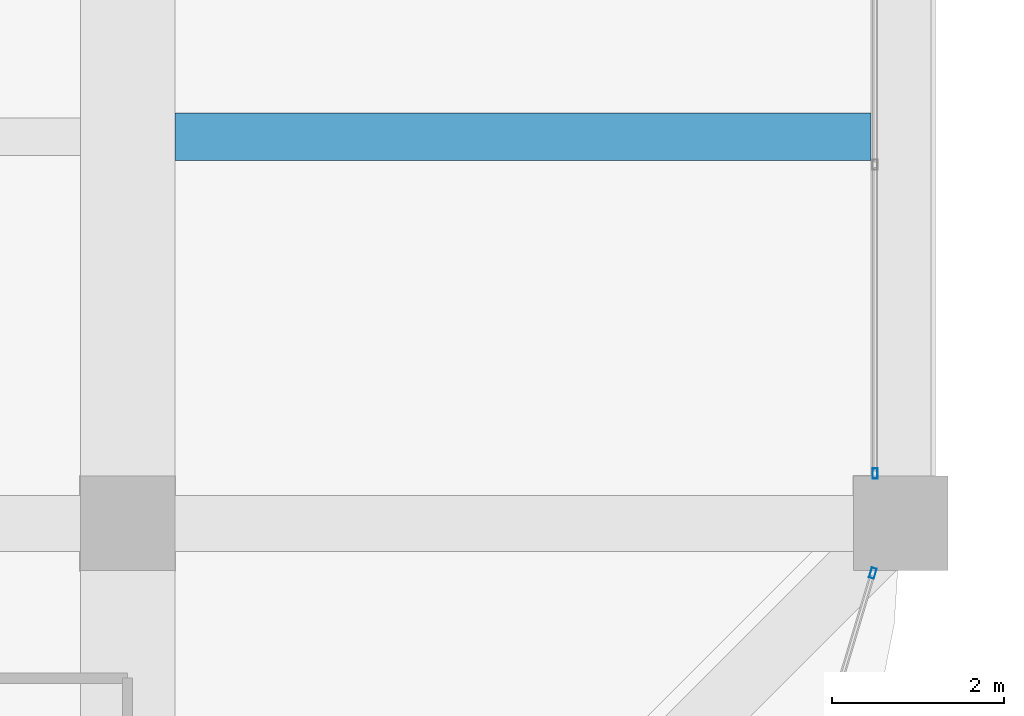
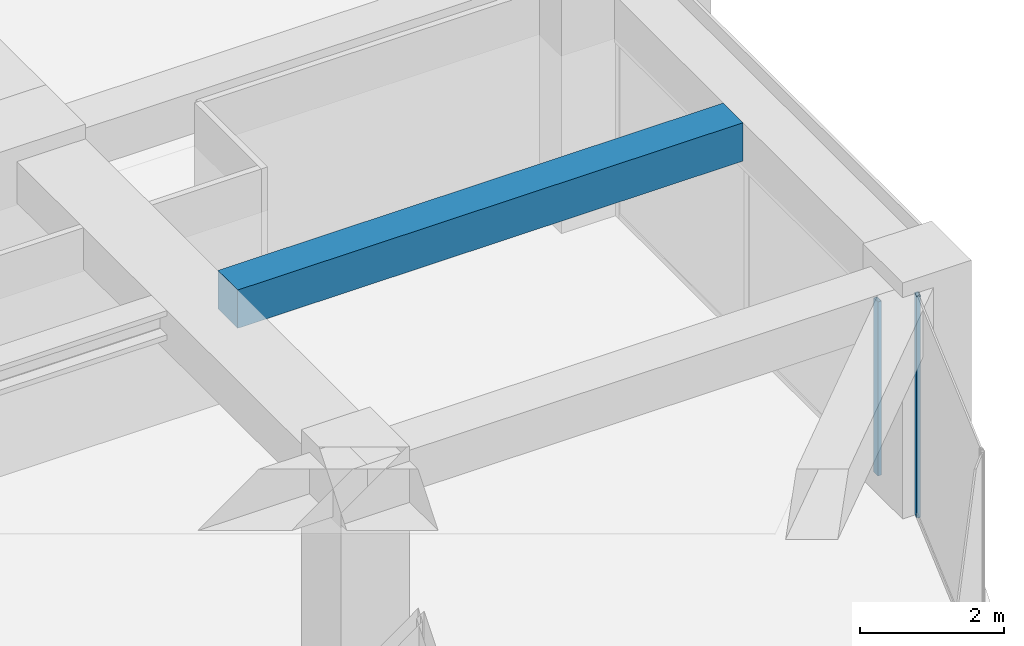
# One storey, part 22 of 45: 2 members, 1 beam, 2 elements without a shape of their own.
"""IFC4 building model written with IfcOpenShell, lengths in metres."""

import ifcopenshell
import ifcopenshell.guid

model = None  # the IFC model being written
_history = None  # IfcOwnerHistory: only IFC2X3 demands one
_inside = {}  # id of a spatial element -> (the spatial element, [elements in it])
_under = {}  # id of a project, library or spatial element -> (it, [spatial elements below it])
_declared = {}  # id of a project -> (the project, [libraries it declares])
_typed = {}  # id of a type object -> (the type object, [elements of that type])
_made_of = {}  # id of a material, layer set ... -> (it, [elements and type objects made of it])


def new_model(schema):
    """Start an empty IFC model of exactly this schema.

    Asked for "IFC4X3", IfcOpenShell would pick the latest addendum, in which some entities
    have other attributes; the version numbers below select the first issue.
    IFC2X3 requires an IfcOwnerHistory on every rooted entity: one is made here for all.
    """
    global model, _history
    if schema == "IFC4X3":
        model = ifcopenshell.file(schema_version=(4, 3, 0, 0))
    else:
        model = ifcopenshell.file(schema=schema)
    _inside.clear()
    _under.clear()
    _declared.clear()
    _typed.clear()
    _made_of.clear()
    _history = None
    if model.schema == "IFC2X3":
        org = make("IfcOrganization", Name="unknown")
        user = make(
            "IfcPersonAndOrganization",
            ThePerson=make("IfcPerson", FamilyName="unknown"),
            TheOrganization=org,
        )
        app = make(
            "IfcApplication",
            ApplicationDeveloper=org,
            Version="unknown",
            ApplicationFullName="unknown",
            ApplicationIdentifier="unknown",
        )
        _history = make(
            "IfcOwnerHistory",
            OwningUser=user,
            OwningApplication=app,
            ChangeAction="ADDED",
            CreationDate=0,
        )
    return model


def make(cls, **values):
    """One entity of the class cls with the attributes given. An attribute that is None is left unset."""
    return model.create_entity(
        cls, **{name: value for name, value in values.items() if value is not None}
    )


def rooted(cls, **values):
    """An entity with a GlobalId (a new one), such as an element, a storey or a relation."""
    return make(cls, GlobalId=ifcopenshell.guid.new(), OwnerHistory=_history, **values)


def si_unit(unit_type, name, prefix=None):
    """IfcSIUnit, for example si_unit("LENGTHUNIT", "METRE", prefix="MILLI")."""
    return make("IfcSIUnit", UnitType=unit_type, Prefix=prefix, Name=name)


def assignment(units):
    """IfcUnitAssignment: the units of a project."""
    return None if units is None else make("IfcUnitAssignment", Units=units)


def point(xyz):
    """IfcCartesianPoint."""
    return None if xyz is None else make("IfcCartesianPoint", Coordinates=xyz)


def direction(xyz):
    """IfcDirection."""
    return None if xyz is None else make("IfcDirection", DirectionRatios=xyz)


def frame(location, z_axis=None, x_axis=None):
    """IfcAxis2Placement3D, a coordinate frame: its origin and axes. An axis left out is left unset."""
    return make(
        "IfcAxis2Placement3D",
        Location=point(location),
        Axis=direction(z_axis),
        RefDirection=direction(x_axis),
    )


def frame_2d(location, x_axis=None):
    """IfcAxis2Placement2D, a coordinate frame in the plane: its origin and x axis."""
    return make(
        "IfcAxis2Placement2D", Location=point(location), RefDirection=direction(x_axis)
    )


def origin():
    """The frame at (0, 0, 0) with its axes left unset."""
    return frame((0.0, 0.0, 0.0))


def origin_2d():
    """The frame at (0, 0) in the plane with its x axis left unset."""
    return frame_2d((0.0, 0.0))


def place(relative_to, where):
    """IfcLocalPlacement: puts the frame where relative to a parent placement (None: the world)."""
    return make(
        "IfcLocalPlacement", PlacementRelTo=relative_to, RelativePlacement=where
    )


def context(
    kind, dimensions, precision=None, world=None, true_north=None, identifier=None
):
    """IfcGeometricRepresentationContext, for example the 3D "Model" context."""
    return make(
        "IfcGeometricRepresentationContext",
        ContextIdentifier=identifier,
        ContextType=kind,
        CoordinateSpaceDimension=dimensions,
        Precision=precision,
        WorldCoordinateSystem=world,
        TrueNorth=true_north,
    )


def subcontext(parent, identifier, kind, view, scale=None):
    """IfcGeometricRepresentationSubContext, for example "Body" below "Model"."""
    return make(
        "IfcGeometricRepresentationSubContext",
        ContextIdentifier=identifier,
        ContextType=kind,
        ParentContext=parent,
        TargetScale=scale,
        TargetView=view,
    )


def project(units=None, contexts=None):
    """IfcProject with its units and contexts."""
    return rooted(
        "IfcProject",
        Name="project",
        RepresentationContexts=contexts,
        UnitsInContext=assignment(units),
    )


def spatial(cls, under=None, at=None, **own):
    """A site, building, storey or space (cls), placed at a placement, below another one or the project."""
    s = rooted(cls, ObjectPlacement=at, **own)
    if under is not None:
        _under.setdefault(under.id(), (under, []))[1].append(s)
    return s


def profile(cls, at=None, kind="AREA", **sizes):
    """A parametric profile (cls). Its sizes go by their IFC names, for example OverallWidth=200.0."""
    return make(cls, ProfileType=kind, Position=at, **sizes)


def rectangle(**sizes):
    """IfcRectangleProfileDef."""
    return profile("IfcRectangleProfileDef", **sizes)


def hollow_rectangle(**sizes):
    """IfcRectangleHollowProfileDef."""
    return profile("IfcRectangleHollowProfileDef", **sizes)


def extrude(swept, where, along, depth):
    """IfcExtrudedAreaSolid: the profile swept, set in the frame where, extruded along a direction by depth."""
    return make(
        "IfcExtrudedAreaSolid",
        SweptArea=swept,
        Position=where,
        ExtrudedDirection=direction(along),
        Depth=depth,
    )


def shape(context_of_items, identifier, shape_type, items):
    """IfcShapeRepresentation: the items that make up one representation, for example the "Body"."""
    return make(
        "IfcShapeRepresentation",
        ContextOfItems=context_of_items,
        RepresentationIdentifier=identifier,
        RepresentationType=shape_type,
        Items=items,
    )


def material(Name=None, Category=None):
    """IfcMaterial."""
    return make("IfcMaterial", Name=Name, Category=Category)


def material_profile(
    of_material, cross_section, Name=None, Category=None, Priority=None
):
    """IfcMaterialProfile: a cross section and its material."""
    return make(
        "IfcMaterialProfile",
        Name=Name,
        Material=of_material,
        Profile=cross_section,
        Priority=Priority,
        Category=Category,
    )


def profile_set(profiles, Name=None, composite=None):
    """IfcMaterialProfileSet."""
    return make(
        "IfcMaterialProfileSet",
        Name=Name,
        MaterialProfiles=profiles,
        CompositeProfile=composite,
    )


def made_of(thing, what):
    """Note that an element or type object is made of a material, layer set ...; save() writes the relation."""
    if what is not None:
        _made_of.setdefault(what.id(), (what, []))[1].append(thing)
    return thing


def type_object(cls, material=None, **own):
    """A type object (cls), such as IfcWallType, which elements share."""
    return made_of(rooted(cls, **own), material)


def element(
    cls,
    number,
    at=None,
    inside=None,
    cuts=None,
    type_object=None,
    material=None,
    context=None,
    identifier="Body",
    shape_type=None,
    held_by="IfcProductDefinitionShape",
    body=None,
    shapes=None,
    **own,
):
    """One element of the class cls, such as IfcWall. Its Tag is "e" and its number.

    at: its placement. inside: the storey or other place that contains it. cuts: it is an
    opening in that element (IfcRelVoidsElement). A single representation is given by context,
    identifier, shape_type and body (its items); several are given by shapes. held_by: the class
    of the entity that holds the representations. save() writes the other relations.
    """
    e = rooted(cls, Tag="e%d" % number, ObjectPlacement=at, **own)
    if body is not None:
        shapes = [shape(context, identifier, shape_type, body)]
    if shapes is not None:
        e.Representation = make(held_by, Representations=shapes)
    if inside is not None:
        _inside.setdefault(inside.id(), (inside, []))[1].append(e)
    if cuts is not None:
        rooted(
            "IfcRelVoidsElement", RelatingBuildingElement=cuts, RelatedOpeningElement=e
        )
    if type_object is not None:
        _typed.setdefault(type_object.id(), (type_object, []))[1].append(e)
    return made_of(e, material)


def aggregate(whole, parts):
    """IfcRelAggregates: a whole, such as a stair, and the parts it consists of."""
    return rooted("IfcRelAggregates", RelatingObject=whole, RelatedObjects=parts)


def save(model, path):
    """Write the relations noted so far, then the file.

    IfcRelAggregates (storeys below a building ...), IfcRelContainedInSpatialStructure (elements
    in a storey), IfcRelDefinesByType, IfcRelAssociatesMaterial and IfcRelDeclares: one each for
    every whole, place, type object, material and project.
    """
    for whole, parts in _under.values():
        aggregate(whole, parts)
    for where, things in _inside.values():
        rooted(
            "IfcRelContainedInSpatialStructure",
            RelatedElements=things,
            RelatingStructure=where,
        )
    for kind, things in _typed.values():
        rooted("IfcRelDefinesByType", RelatedObjects=things, RelatingType=kind)
    for what, things in _made_of.values():
        rooted("IfcRelAssociatesMaterial", RelatedObjects=things, RelatingMaterial=what)
    for by, libraries in _declared.values():
        rooted("IfcRelDeclares", RelatingContext=by, RelatedDefinitions=libraries)
    model.write(path)


model = new_model("IFC4")

# Units and contexts
model_context = context("Model", 3, precision=1e-05, world=origin(), true_north=direction((0.0, 1.0)))
body_context = subcontext(model_context, "Body", "Model", "MODEL_VIEW")
ifc_project = project(units=[si_unit("LENGTHUNIT", "METRE"), si_unit("AREAUNIT", "SQUARE_METRE"), si_unit("VOLUMEUNIT", "CUBIC_METRE"), si_unit("PLANEANGLEUNIT", "RADIAN"), si_unit("MASSUNIT", "GRAM", prefix="KILO")], contexts=[model_context])

# Site, building, storey
site_placement = place(None, origin())
site = spatial("IfcSite", under=ifc_project, at=site_placement, CompositionType="ELEMENT")
building_placement = place(site_placement, origin())
building = spatial("IfcBuilding", under=site, at=building_placement, Name="Zorevar Civic Tower", CompositionType="ELEMENT")
storey_placement = place(building_placement, frame((0.0, 0.0, 247.39990234375)))
storey = spatial("IfcBuildingStorey", under=building, at=storey_placement, Name="L60", CompositionType="ELEMENT", Elevation=247.39990234375)

# Beam
ifc_material_1 = material(Name="Concrete C50/60", Category="concrete")
ifc_material_profile_1 = material_profile(ifc_material_1, rectangle(XDim=0.550048828125, YDim=0.64990234375, at=origin_2d()), Name="RC 550x650")
ifc_profile_set_1 = profile_set([ifc_material_profile_1], Name="Concrete C50/60")
beam_type = type_object("IfcBeamType", Name="Beam RC 550x650", PredefinedType="BEAM", material=ifc_profile_set_1)
beam_placement = place(storey_placement, frame((45.550048828125, 13.5, 3.425048828125), z_axis=(1.0, 0.0, 0.0), x_axis=(0.0, 1.0, 0.0)))
element("IfcBeam", 1, at=beam_placement, inside=storey, type_object=beam_type, Name="Secondary beam L61", PredefinedType="BEAM", context=body_context, shape_type="SweptSolid", body=[
    extrude(rectangle(XDim=0.550048828125, YDim=0.64990234375, at=origin_2d()), origin(), (0.0, 0.0, 1.0), 8.099853515625),
])

# Curtain wall, member
ifc_material_2 = material(Name="Dark grey solar-control glass in black aluminium frame", Category="aluminium")
curtain_wall_type = type_object("IfcCurtainWallType", Name="Curtain wall CW5 top zone", PredefinedType="NOTDEFINED", material=ifc_material_2)
curtain_wall_1_placement = place(storey_placement, origin())
curtain_wall_1 = element("IfcCurtainWall", 2, at=curtain_wall_1_placement, inside=storey, type_object=curtain_wall_type, Name="CW5 L60", PredefinedType="NOTDEFINED")
ifc_material_3 = material(Name="Aluminium, black anodised", Category="aluminium")
ifc_material_profile_2 = material_profile(ifc_material_3, hollow_rectangle(XDim=0.06005859375, YDim=0.1201171875, WallThickness=0.0029296875, at=origin_2d()), Name="AL 120x60x3")
ifc_profile_set_2 = profile_set([ifc_material_profile_2], Name="Aluminium, black anodised")
member_type = type_object("IfcMemberType", Name="CW5 mullion AL 120x60x3", PredefinedType="MULLION", material=ifc_profile_set_2)
member_1_placement = place(storey_placement, frame((53.699951171875, 9.580078125, 0.0), z_axis=(0.0, 0.0, 1.0), x_axis=(-1.0, 0.0, 0.0)))
member_1 = element("IfcMember", 3, at=member_1_placement, type_object=member_type, Name="CW5 mullion 1", PredefinedType="MULLION", context=body_context, shape_type="SweptSolid", body=[
    extrude(hollow_rectangle(XDim=0.06005859375, YDim=0.1201171875, WallThickness=0.0029296875, at=origin_2d()), origin(), (0.0, 0.0, 1.0), 2.9501953125),
])
aggregate(curtain_wall_1, [member_1])

curtain_wall_2_placement = place(storey_placement, origin())
curtain_wall_2 = element("IfcCurtainWall", 4, at=curtain_wall_2_placement, inside=storey, type_object=curtain_wall_type, Name="CW5 L60", PredefinedType="NOTDEFINED")
member_2_placement = place(storey_placement, frame((53.673828125, 8.42138671875, 0.0), z_axis=(0.0, 0.0, 1.0), x_axis=(-0.95782550907, 0.287350472723, 0.0)))
member_2 = element("IfcMember", 5, at=member_2_placement, type_object=member_type, Name="CW5 mullion 2", PredefinedType="MULLION", context=body_context, shape_type="SweptSolid", body=[
    extrude(hollow_rectangle(XDim=0.06005859375, YDim=0.1201171875, WallThickness=0.0029296875, at=origin_2d()), origin(), (0.0, 0.0, 1.0), 3.75),
])
aggregate(curtain_wall_2, [member_2])

save(model, "model.ifc")
